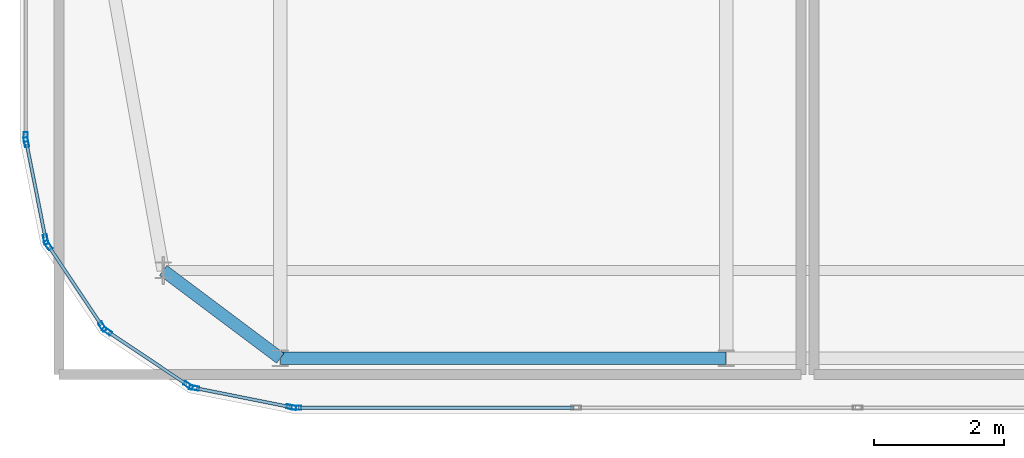
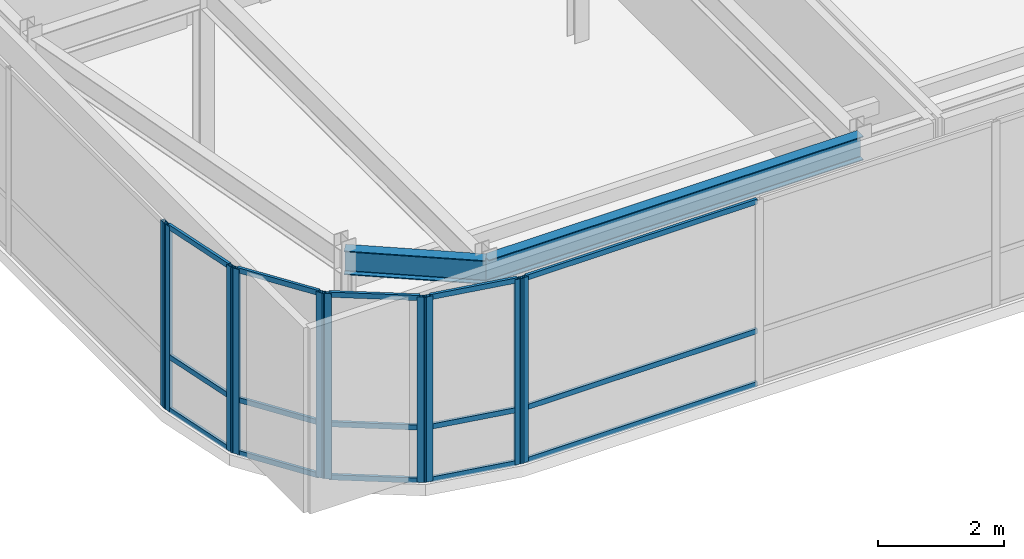
# One storey, part 5 of 36: 25 members, 2 beams, 6 elements without a shape of their own.
"""IFC4 building model written with IfcOpenShell, lengths in metres."""

from ifc_helpers import new_model, si_unit, direction, frame, origin, origin_2d, place, context, subcontext, project, spatial, hollow_rectangle, i_section, extrude, source, transform, mapped, material, layer, layer_set, material_profile, profile_set, type_object, type_shapes, element, aggregate, save


model = new_model("IFC4")

# Units and contexts
model_context = context("Model", 3, precision=1e-05, world=origin(), true_north=direction((0.0, 1.0)))
body_context = subcontext(model_context, "Body", "Model", "MODEL_VIEW")
ifc_project = project(units=[si_unit("LENGTHUNIT", "METRE"), si_unit("AREAUNIT", "SQUARE_METRE"), si_unit("VOLUMEUNIT", "CUBIC_METRE"), si_unit("PLANEANGLEUNIT", "RADIAN"), si_unit("MASSUNIT", "GRAM", prefix="KILO")], contexts=[model_context])

# Site, building, storey
site_placement = place(None, origin())
site = spatial("IfcSite", under=ifc_project, at=site_placement, CompositionType="ELEMENT")
building_placement = place(site_placement, origin())
building = spatial("IfcBuilding", under=site, at=building_placement, Name="Tolvann Quenvar Hotel", CompositionType="ELEMENT")
storey_placement = place(building_placement, frame((0.0, 0.0, 302.35009765625)))
storey = spatial("IfcBuildingStorey", under=building, at=storey_placement, Name="L80", CompositionType="ELEMENT", Elevation=302.35009765625)

# Beams
ifc_material_1 = material(Name="Steel Grade 350", Category="steel")
ifc_material_profile_1 = material_profile(ifc_material_1, i_section(OverallWidth=0.19091796875, OverallDepth=0.4599609375, WebThickness=0.010009765625, FlangeThickness=0.01611328125, FilletRadius=0.011474609375, at=origin_2d()), Name="460UB82")
ifc_profile_set_1 = profile_set([ifc_material_profile_1], Name="Steel Grade 350")
beam_type = type_object("IfcBeamType", Name="BM_SPAND_460UB82", PredefinedType="SPANDREL", material=ifc_profile_set_1)
shared_shape_1 = source(origin(), body_context, "Body", "SweptSolid", [
    extrude(i_section(OverallWidth=0.19091796875, OverallDepth=0.4599609375, WebThickness=0.010009765625, FlangeThickness=0.01611328125, FilletRadius=0.011474609375, at=origin_2d()), origin(), (0.0, 0.0, 1.0), 6.849853515625),
])
beam_1_placement = place(storey_placement, frame((7.60009765625, 7.050048828125, 3.349853515625), z_axis=(1.0, 0.0, 0.0), x_axis=(0.0, 1.0, 0.0)))
element("IfcBeam", 1, at=beam_1_placement, inside=storey, type_object=beam_type, Name="BM-L80-EW-2-C2-D2", PredefinedType="SPANDREL", context=body_context, shape_type="MappedRepresentation", body=[
    mapped(shared_shape_1, transform((0.0, 0.0, 0.0), x_axis=(1.0, 0.0, 0.0), y_axis=(0.0, 1.0, 0.0), z_axis=(0.0, 0.0, 1.0), scale=1.0)),
])
shared_shape_2 = source(origin(), body_context, "Body", "SweptSolid", [
    extrude(i_section(OverallWidth=0.19091796875, OverallDepth=0.4599609375, WebThickness=0.010009765625, FlangeThickness=0.01611328125, FilletRadius=0.011474609375, at=origin_2d()), origin(), (0.0, 0.0, 1.0), 2.25),
])
type_shapes(beam_type, [shared_shape_1, shared_shape_2])
beam_2_placement = place(storey_placement, frame((5.800048828125, 8.39990234375, 3.349853515625), z_axis=(0.800039061652, -0.599947914265, 0.0), x_axis=(0.599947914265, 0.800039061652, 0.0)))
element("IfcBeam", 2, at=beam_2_placement, inside=storey, type_object=beam_type, Name="BM-L80-EW-2-B2-C2", PredefinedType="SPANDREL", context=body_context, shape_type="MappedRepresentation", body=[
    mapped(shared_shape_2, transform((0.0, 0.0, 0.0), x_axis=(1.0, 0.0, 0.0), y_axis=(0.0, 1.0, 0.0), z_axis=(0.0, 0.0, 1.0), scale=1.0)),
])

# Curtain wall, members
ifc_material_2 = material(Name="Thermally broken anodised architectural aluminium 6063-T6 and laminated low-E glass", Category="aluminium")
ifc_layer = layer(ifc_material_2, 0.179931640625)
ifc_layer_set = layer_set([ifc_layer], Name="Thermally broken anodised architectural aluminium 6063-T6 and laminated low-E glass")
curtain_wall_type = type_object("IfcCurtainWallType", Name="CW_SYS_LANT_06", PredefinedType="USERDEFINED", material=ifc_layer_set)
curtain_wall_1_placement = place(storey_placement, origin())
curtain_wall_1 = element("IfcCurtainWall", 3, at=curtain_wall_1_placement, inside=storey, type_object=curtain_wall_type, Name="Curtain Wall CW-LANT-06 (CWR-L80-E01)", ObjectType="UNITISED CURTAIN WALL", PredefinedType="USERDEFINED")
ifc_material_3 = material(Name="Anodised architectural aluminium 6063-T6 framing", Category="aluminium")
ifc_material_profile_2 = material_profile(ifc_material_3, hollow_rectangle(XDim=0.050048828125, YDim=0.10009765625, WallThickness=0.0029296875, at=origin_2d()), Name="100x50x3RHS")
ifc_profile_set_2 = profile_set([ifc_material_profile_2], Name="Anodised architectural aluminium 6063-T6 framing")
member_type_1 = type_object("IfcMemberType", Name="CW_TRAN_100x50", PredefinedType="USERDEFINED", material=ifc_profile_set_2)
shared_shape_3 = source(origin(), body_context, "Body", "SweptSolid", [
    extrude(hollow_rectangle(XDim=0.050048828125, YDim=0.10009765625, WallThickness=0.0029296875, at=origin_2d()), origin(), (0.0, 0.0, 1.0), 1.439208984375),
])
member_1_placement = place(storey_placement, frame((4.0498046875, 8.759765625, 0.02490234375), z_axis=(0.555717578985, -0.831371139989, 0.0), x_axis=(0.831371139989, 0.555717578985, 0.0)))
member_1 = element("IfcMember", 4, at=member_1_placement, type_object=member_type_1, Name="CW-LANT-06 transom 1.1", ObjectType="TRANSOM", PredefinedType="USERDEFINED", context=body_context, shape_type="MappedRepresentation", body=[
    mapped(shared_shape_3, transform((0.0, 0.0, 0.0), x_axis=(1.0, 0.0, 0.0), y_axis=(0.0, 1.0, 0.0), z_axis=(0.0, 0.0, 1.0), scale=1.0)),
])
member_2_placement = place(storey_placement, frame((4.0498046875, 8.759765625, 1.0498046875), z_axis=(0.555717578985, -0.831371139989, 0.0), x_axis=(0.831371139989, 0.555717578985, 0.0)))
member_2 = element("IfcMember", 5, at=member_2_placement, type_object=member_type_1, Name="CW-LANT-06 transom 1.2", ObjectType="TRANSOM", PredefinedType="USERDEFINED", context=body_context, shape_type="MappedRepresentation", body=[
    mapped(shared_shape_3, transform((0.0, 0.0, 0.0), x_axis=(1.0, 0.0, 0.0), y_axis=(0.0, 1.0, 0.0), z_axis=(0.0, 0.0, 1.0), scale=1.0)),
])
member_3_placement = place(storey_placement, frame((4.0498046875, 8.759765625, 3.554931640625), z_axis=(0.555717578985, -0.831371139989, 0.0), x_axis=(0.831371139989, 0.555717578985, 0.0)))
member_3 = element("IfcMember", 6, at=member_3_placement, type_object=member_type_1, Name="CW-LANT-06 transom 1.3", ObjectType="TRANSOM", PredefinedType="USERDEFINED", context=body_context, shape_type="MappedRepresentation", body=[
    mapped(shared_shape_3, transform((0.0, 0.0, 0.0), x_axis=(1.0, 0.0, 0.0), y_axis=(0.0, 1.0, 0.0), z_axis=(0.0, 0.0, 1.0), scale=1.0)),
])

curtain_wall_2_placement = place(storey_placement, origin())
curtain_wall_2 = element("IfcCurtainWall", 7, at=curtain_wall_2_placement, inside=storey, type_object=curtain_wall_type, Name="Curtain Wall CW-LANT-06 (CWR-L80-E02)", ObjectType="UNITISED CURTAIN WALL", PredefinedType="USERDEFINED")
member_4_placement = place(storey_placement, frame((4.963134765625, 7.449462890625, 0.02490234375), z_axis=(0.831449510818, -0.555600315839, 0.0), x_axis=(0.555600315839, 0.831449510818, 0.0)))
member_4 = element("IfcMember", 8, at=member_4_placement, type_object=member_type_1, Name="CW-LANT-06 transom 1.1", ObjectType="TRANSOM", PredefinedType="USERDEFINED", context=body_context, shape_type="MappedRepresentation", body=[
    mapped(shared_shape_3, transform((0.0, 0.0, 0.0), x_axis=(1.0, 0.0, 0.0), y_axis=(0.0, 1.0, 0.0), z_axis=(0.0, 0.0, 1.0), scale=1.0)),
])
member_5_placement = place(storey_placement, frame((4.963134765625, 7.449462890625, 1.0498046875), z_axis=(0.831449510818, -0.555600315839, 0.0), x_axis=(0.555600315839, 0.831449510818, 0.0)))
member_5 = element("IfcMember", 9, at=member_5_placement, type_object=member_type_1, Name="CW-LANT-06 transom 1.2", ObjectType="TRANSOM", PredefinedType="USERDEFINED", context=body_context, shape_type="MappedRepresentation", body=[
    mapped(shared_shape_3, transform((0.0, 0.0, 0.0), x_axis=(1.0, 0.0, 0.0), y_axis=(0.0, 1.0, 0.0), z_axis=(0.0, 0.0, 1.0), scale=1.0)),
])
member_6_placement = place(storey_placement, frame((4.963134765625, 7.449462890625, 3.554931640625), z_axis=(0.831449510818, -0.555600315839, 0.0), x_axis=(0.555600315839, 0.831449510818, 0.0)))
member_6 = element("IfcMember", 10, at=member_6_placement, type_object=member_type_1, Name="CW-LANT-06 transom 1.3", ObjectType="TRANSOM", PredefinedType="USERDEFINED", context=body_context, shape_type="MappedRepresentation", body=[
    mapped(shared_shape_3, transform((0.0, 0.0, 0.0), x_axis=(1.0, 0.0, 0.0), y_axis=(0.0, 1.0, 0.0), z_axis=(0.0, 0.0, 1.0), scale=1.0)),
])

curtain_wall_3_placement = place(storey_placement, origin())
curtain_wall_3 = element("IfcCurtainWall", 11, at=curtain_wall_3_placement, inside=storey, type_object=curtain_wall_type, Name="Curtain Wall CW-LANT-06 (CWR-L80-E03)", ObjectType="UNITISED CURTAIN WALL", PredefinedType="USERDEFINED")
shared_shape_4 = source(origin(), body_context, "Body", "SweptSolid", [
    extrude(hollow_rectangle(XDim=0.050048828125, YDim=0.10009765625, WallThickness=0.0029296875, at=origin_2d()), origin(), (0.0, 0.0, 1.0), 1.456787109375),
])
member_7_placement = place(storey_placement, frame((6.30810546875, 6.58837890625, 0.02490234375), z_axis=(0.980786408364, -0.195084651288, 0.0), x_axis=(0.195084651288, 0.980786408364, 0.0)))
member_7 = element("IfcMember", 12, at=member_7_placement, type_object=member_type_1, Name="CW-LANT-06 transom 1.1", ObjectType="TRANSOM", PredefinedType="USERDEFINED", context=body_context, shape_type="MappedRepresentation", body=[
    mapped(shared_shape_4, transform((0.0, 0.0, 0.0), x_axis=(1.0, 0.0, 0.0), y_axis=(0.0, 1.0, 0.0), z_axis=(0.0, 0.0, 1.0), scale=1.0)),
])
member_8_placement = place(storey_placement, frame((6.30810546875, 6.58837890625, 1.0498046875), z_axis=(0.980786408364, -0.195084651288, 0.0), x_axis=(0.195084651288, 0.980786408364, 0.0)))
member_8 = element("IfcMember", 13, at=member_8_placement, type_object=member_type_1, Name="CW-LANT-06 transom 1.2", ObjectType="TRANSOM", PredefinedType="USERDEFINED", context=body_context, shape_type="MappedRepresentation", body=[
    mapped(shared_shape_4, transform((0.0, 0.0, 0.0), x_axis=(1.0, 0.0, 0.0), y_axis=(0.0, 1.0, 0.0), z_axis=(0.0, 0.0, 1.0), scale=1.0)),
])
member_9_placement = place(storey_placement, frame((6.30810546875, 6.58837890625, 3.554931640625), z_axis=(0.980786408364, -0.195084651288, 0.0), x_axis=(0.195084651288, 0.980786408364, 0.0)))
member_9 = element("IfcMember", 14, at=member_9_placement, type_object=member_type_1, Name="CW-LANT-06 transom 1.3", ObjectType="TRANSOM", PredefinedType="USERDEFINED", context=body_context, shape_type="MappedRepresentation", body=[
    mapped(shared_shape_4, transform((0.0, 0.0, 0.0), x_axis=(1.0, 0.0, 0.0), y_axis=(0.0, 1.0, 0.0), z_axis=(0.0, 0.0, 1.0), scale=1.0)),
])

curtain_wall_4_placement = place(storey_placement, origin())
curtain_wall_4 = element("IfcCurtainWall", 15, at=curtain_wall_4_placement, inside=storey, type_object=curtain_wall_type, Name="Curtain Wall CW-LANT-06 (CWR-L80-E20)", ObjectType="UNITISED CURTAIN WALL", PredefinedType="USERDEFINED")
member_10_placement = place(storey_placement, frame((3.704345703125, 10.3369140625, 0.02490234375), z_axis=(0.195084651288, -0.980786408364, 0.0), x_axis=(0.980786408364, 0.195084651288, 0.0)))
member_10 = element("IfcMember", 16, at=member_10_placement, type_object=member_type_1, Name="CW-LANT-06 transom 1.1", ObjectType="TRANSOM", PredefinedType="USERDEFINED", context=body_context, shape_type="MappedRepresentation", body=[
    mapped(shared_shape_4, transform((0.0, 0.0, 0.0), x_axis=(1.0, 0.0, 0.0), y_axis=(0.0, 1.0, 0.0), z_axis=(0.0, 0.0, 1.0), scale=1.0)),
])
member_11_placement = place(storey_placement, frame((3.704345703125, 10.3369140625, 1.0498046875), z_axis=(0.195084651288, -0.980786408364, 0.0), x_axis=(0.980786408364, 0.195084651288, 0.0)))
member_11 = element("IfcMember", 17, at=member_11_placement, type_object=member_type_1, Name="CW-LANT-06 transom 1.2", ObjectType="TRANSOM", PredefinedType="USERDEFINED", context=body_context, shape_type="MappedRepresentation", body=[
    mapped(shared_shape_4, transform((0.0, 0.0, 0.0), x_axis=(1.0, 0.0, 0.0), y_axis=(0.0, 1.0, 0.0), z_axis=(0.0, 0.0, 1.0), scale=1.0)),
])
member_12_placement = place(storey_placement, frame((3.704345703125, 10.3369140625, 3.554931640625), z_axis=(0.195084651288, -0.980786408364, 0.0), x_axis=(0.980786408364, 0.195084651288, 0.0)))
member_12 = element("IfcMember", 18, at=member_12_placement, type_object=member_type_1, Name="CW-LANT-06 transom 1.3", ObjectType="TRANSOM", PredefinedType="USERDEFINED", context=body_context, shape_type="MappedRepresentation", body=[
    mapped(shared_shape_4, transform((0.0, 0.0, 0.0), x_axis=(1.0, 0.0, 0.0), y_axis=(0.0, 1.0, 0.0), z_axis=(0.0, 0.0, 1.0), scale=1.0)),
])

curtain_wall_5_placement = place(storey_placement, origin())
curtain_wall_5 = element("IfcCurtainWall", 19, at=curtain_wall_5_placement, inside=storey, type_object=curtain_wall_type, Name="Curtain Wall CW-LANT-06 (CWR-L80-E04)", ObjectType="UNITISED CURTAIN WALL", PredefinedType="USERDEFINED")
shared_shape_5 = source(origin(), body_context, "Body", "SweptSolid", [
    extrude(hollow_rectangle(XDim=0.050048828125, YDim=0.10009765625, WallThickness=0.0029296875, at=origin_2d()), origin(), (0.0, 0.0, 1.0), 4.230224609375),
])
type_shapes(member_type_1, [shared_shape_3, shared_shape_4, shared_shape_5])
member_13_placement = place(storey_placement, frame((7.882080078125, 6.2900390625, 0.02490234375), z_axis=(1.0, 0.0, 0.0), x_axis=(0.0, 1.0, 0.0)))
member_13 = element("IfcMember", 20, at=member_13_placement, type_object=member_type_1, Name="CW-LANT-06 transom 1.1", ObjectType="TRANSOM", PredefinedType="USERDEFINED", context=body_context, shape_type="MappedRepresentation", body=[
    mapped(shared_shape_5, transform((0.0, 0.0, 0.0), x_axis=(1.0, 0.0, 0.0), y_axis=(0.0, 1.0, 0.0), z_axis=(0.0, 0.0, 1.0), scale=1.0)),
])
member_14_placement = place(storey_placement, frame((7.882080078125, 6.2900390625, 1.0498046875), z_axis=(1.0, 0.0, 0.0), x_axis=(0.0, 1.0, 0.0)))
member_14 = element("IfcMember", 21, at=member_14_placement, type_object=member_type_1, Name="CW-LANT-06 transom 1.2", ObjectType="TRANSOM", PredefinedType="USERDEFINED", context=body_context, shape_type="MappedRepresentation", body=[
    mapped(shared_shape_5, transform((0.0, 0.0, 0.0), x_axis=(1.0, 0.0, 0.0), y_axis=(0.0, 1.0, 0.0), z_axis=(0.0, 0.0, 1.0), scale=1.0)),
])
member_15_placement = place(storey_placement, frame((7.882080078125, 6.2900390625, 3.554931640625), z_axis=(1.0, 0.0, 0.0), x_axis=(0.0, 1.0, 0.0)))
member_15 = element("IfcMember", 22, at=member_15_placement, type_object=member_type_1, Name="CW-LANT-06 transom 1.3", ObjectType="TRANSOM", PredefinedType="USERDEFINED", context=body_context, shape_type="MappedRepresentation", body=[
    mapped(shared_shape_5, transform((0.0, 0.0, 0.0), x_axis=(1.0, 0.0, 0.0), y_axis=(0.0, 1.0, 0.0), z_axis=(0.0, 0.0, 1.0), scale=1.0)),
])

# Member
ifc_material_profile_3 = material_profile(ifc_material_3, hollow_rectangle(XDim=0.06494140625, YDim=0.14990234375, WallThickness=0.00390625, at=origin_2d()), Name="150x65x4RHS")
ifc_profile_set_3 = profile_set([ifc_material_profile_3], Name="Anodised architectural aluminium 6063-T6 framing")
member_type_2 = type_object("IfcMemberType", Name="CW_MULL_150x65", PredefinedType="MULLION", material=ifc_profile_set_3)
shared_shape_6 = source(origin(), body_context, "Body", "SweptSolid", [
    extrude(hollow_rectangle(XDim=0.06494140625, YDim=0.14990234375, WallThickness=0.00390625, at=origin_2d()), origin(), (0.0, 0.0, 1.0), 3.579833984375),
])
type_shapes(member_type_2, [shared_shape_6])
member_16_placement = place(storey_placement, frame((4.03173828125, 8.786865234375, 0.0), z_axis=(0.0, 0.0, 1.0), x_axis=(0.831412452193, 0.555655769644, 0.0)))
member_16 = element("IfcMember", 23, at=member_16_placement, type_object=member_type_2, Name="CW-LANT-06 mullion 1", PredefinedType="MULLION", context=body_context, shape_type="MappedRepresentation", body=[
    mapped(shared_shape_6, transform((0.0, 0.0, 0.0), x_axis=(1.0, 0.0, 0.0), y_axis=(0.0, 1.0, 0.0), z_axis=(0.0, 0.0, 1.0), scale=1.0)),
])

member_17_placement = place(storey_placement, frame((4.86767578125, 7.5361328125, 0.0), z_axis=(0.0, 0.0, 1.0), x_axis=(0.831412452193, 0.555655769644, 0.0)))
member_17 = element("IfcMember", 24, at=member_17_placement, type_object=member_type_2, Name="CW-LANT-06 mullion 2", PredefinedType="MULLION", context=body_context, shape_type="MappedRepresentation", body=[
    mapped(shared_shape_6, transform((0.0, 0.0, 0.0), x_axis=(1.0, 0.0, 0.0), y_axis=(0.0, 1.0, 0.0), z_axis=(0.0, 0.0, 1.0), scale=1.0)),
])

aggregate(curtain_wall_1, [member_16, member_17, member_1, member_2, member_3])

member_18_placement = place(storey_placement, frame((4.936279296875, 7.467529296875, 0.0), z_axis=(0.0, 0.0, 1.0), x_axis=(0.555655769644, 0.831412452193, 0.0)))
member_18 = element("IfcMember", 25, at=member_18_placement, type_object=member_type_2, Name="CW-LANT-06 mullion 1", PredefinedType="MULLION", context=body_context, shape_type="MappedRepresentation", body=[
    mapped(shared_shape_6, transform((0.0, 0.0, 0.0), x_axis=(1.0, 0.0, 0.0), y_axis=(0.0, 1.0, 0.0), z_axis=(0.0, 0.0, 1.0), scale=1.0)),
])

member_19_placement = place(storey_placement, frame((6.186767578125, 6.6318359375, 0.0), z_axis=(0.0, 0.0, 1.0), x_axis=(0.555655769644, 0.831412452193, 0.0)))
member_19 = element("IfcMember", 26, at=member_19_placement, type_object=member_type_2, Name="CW-LANT-06 mullion 2", PredefinedType="MULLION", context=body_context, shape_type="MappedRepresentation", body=[
    mapped(shared_shape_6, transform((0.0, 0.0, 0.0), x_axis=(1.0, 0.0, 0.0), y_axis=(0.0, 1.0, 0.0), z_axis=(0.0, 0.0, 1.0), scale=1.0)),
])

aggregate(curtain_wall_2, [member_18, member_19, member_4, member_5, member_6])

member_20_placement = place(storey_placement, frame((6.2763671875, 6.5947265625, 0.0), z_axis=(0.0, 0.0, 1.0), x_axis=(0.195061569369, 0.980790999222, 0.0)))
member_20 = element("IfcMember", 27, at=member_20_placement, type_object=member_type_2, Name="CW-LANT-06 mullion 1", PredefinedType="MULLION", context=body_context, shape_type="MappedRepresentation", body=[
    mapped(shared_shape_6, transform((0.0, 0.0, 0.0), x_axis=(1.0, 0.0, 0.0), y_axis=(0.0, 1.0, 0.0), z_axis=(0.0, 0.0, 1.0), scale=1.0)),
])

member_21_placement = place(storey_placement, frame((7.768798828125, 6.2978515625, 0.0), z_axis=(0.0, 0.0, 1.0), x_axis=(0.195061569369, 0.980790999222, 0.0)))
member_21 = element("IfcMember", 28, at=member_21_placement, type_object=member_type_2, Name="CW-LANT-06 mullion 2", PredefinedType="MULLION", context=body_context, shape_type="MappedRepresentation", body=[
    mapped(shared_shape_6, transform((0.0, 0.0, 0.0), x_axis=(1.0, 0.0, 0.0), y_axis=(0.0, 1.0, 0.0), z_axis=(0.0, 0.0, 1.0), scale=1.0)),
])

aggregate(curtain_wall_3, [member_20, member_21, member_7, member_8, member_9])

member_22_placement = place(storey_placement, frame((7.849609375, 6.2900390625, 0.0), z_axis=(0.0, 0.0, 1.0), x_axis=(0.0, 1.0, 0.0)))
member_22 = element("IfcMember", 29, at=member_22_placement, type_object=member_type_2, Name="CW-LANT-06 mullion 1", PredefinedType="MULLION", context=body_context, shape_type="MappedRepresentation", body=[
    mapped(shared_shape_6, transform((0.0, 0.0, 0.0), x_axis=(1.0, 0.0, 0.0), y_axis=(0.0, 1.0, 0.0), z_axis=(0.0, 0.0, 1.0), scale=1.0)),
])

aggregate(curtain_wall_5, [member_22, member_13, member_14, member_15])

# Curtain wall, member
curtain_wall_6_placement = place(storey_placement, origin())
curtain_wall_6 = element("IfcCurtainWall", 30, at=curtain_wall_6_placement, inside=storey, type_object=curtain_wall_type, Name="Curtain Wall CW-LANT-06 (CWR-L80-E19)", ObjectType="UNITISED CURTAIN WALL", PredefinedType="USERDEFINED")
member_23_placement = place(storey_placement, frame((3.68994140625, 10.44970703125, 0.0), z_axis=(0.0, 0.0, 1.0), x_axis=(1.0, 0.0, 0.0)))
member_23 = element("IfcMember", 31, at=member_23_placement, type_object=member_type_2, Name="CW-LANT-06 mullion 7", PredefinedType="MULLION", context=body_context, shape_type="MappedRepresentation", body=[
    mapped(shared_shape_6, transform((0.0, 0.0, 0.0), x_axis=(1.0, 0.0, 0.0), y_axis=(0.0, 1.0, 0.0), z_axis=(0.0, 0.0, 1.0), scale=1.0)),
])
aggregate(curtain_wall_6, [member_23])

# Member
member_24_placement = place(storey_placement, frame((3.697998046875, 10.36865234375, 0.0), z_axis=(0.0, 0.0, 1.0), x_axis=(0.980790999222, 0.195061569369, 0.0)))
member_24 = element("IfcMember", 32, at=member_24_placement, type_object=member_type_2, Name="CW-LANT-06 mullion 1", PredefinedType="MULLION", context=body_context, shape_type="MappedRepresentation", body=[
    mapped(shared_shape_6, transform((0.0, 0.0, 0.0), x_axis=(1.0, 0.0, 0.0), y_axis=(0.0, 1.0, 0.0), z_axis=(0.0, 0.0, 1.0), scale=1.0)),
])

member_25_placement = place(storey_placement, frame((3.994873046875, 8.876220703125, 0.0), z_axis=(0.0, 0.0, 1.0), x_axis=(0.980790999222, 0.195061569369, 0.0)))
member_25 = element("IfcMember", 33, at=member_25_placement, type_object=member_type_2, Name="CW-LANT-06 mullion 2", PredefinedType="MULLION", context=body_context, shape_type="MappedRepresentation", body=[
    mapped(shared_shape_6, transform((0.0, 0.0, 0.0), x_axis=(1.0, 0.0, 0.0), y_axis=(0.0, 1.0, 0.0), z_axis=(0.0, 0.0, 1.0), scale=1.0)),
])

aggregate(curtain_wall_4, [member_24, member_25, member_10, member_11, member_12])

save(model, "model.ifc")
